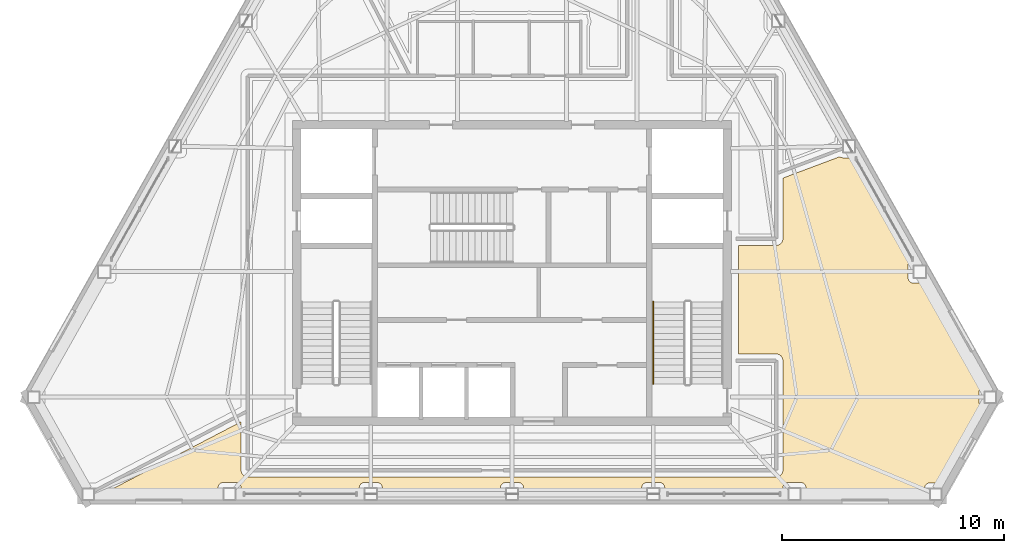
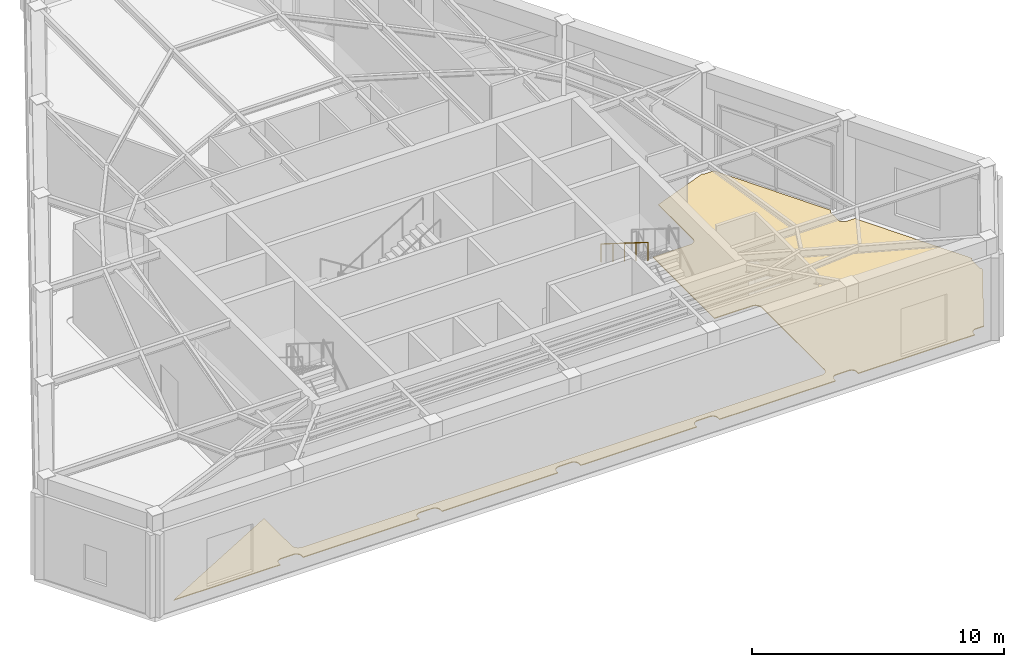
# One storey, part 13 of 15: 1 covering, 1 railing.
"""IFC4 building model written with IfcOpenShell, lengths in metres."""

from ifc_helpers import new_model, si_unit, direction, frame, origin, origin_2d, place, context, subcontext, project, spatial, polyline, circle, outline, extrude, material, layer, layer_set, type_object, element, save


model = new_model("IFC4")

# Units and contexts
model_context = context("Model", 3, precision=1e-05, world=origin(), true_north=direction((0.0, 1.0)))
body_context = subcontext(model_context, "Body", "Model", "MODEL_VIEW")
ifc_project = project(units=[si_unit("LENGTHUNIT", "METRE"), si_unit("AREAUNIT", "SQUARE_METRE"), si_unit("VOLUMEUNIT", "CUBIC_METRE"), si_unit("PLANEANGLEUNIT", "RADIAN"), si_unit("MASSUNIT", "GRAM", prefix="KILO")], contexts=[model_context])

# Site, building, storey
site_placement = place(None, origin())
site = spatial("IfcSite", under=ifc_project, at=site_placement, CompositionType="ELEMENT")
building_placement = place(site_placement, origin())
building = spatial("IfcBuilding", under=site, at=building_placement, Name="Kavelnor Concourse Tower", CompositionType="ELEMENT")
storey_placement = place(building_placement, frame((0.0, 0.0, 304.949951171875)))
storey = spatial("IfcBuildingStorey", under=building, at=storey_placement, Name="L77", CompositionType="ELEMENT", Elevation=304.949951171875)

# Covering
ifc_material_1 = material(Name="Honed bluestone and raised access floor finish", Category="masonry")
ifc_layer = layer(ifc_material_1, 0.0400390625, Name="Honed bluestone and raised access floor finish")
ifc_layer_set = layer_set([ifc_layer], Name="Honed bluestone and raised access floor finish")
covering_type = type_object("IfcCoveringType", Name="COV-FLOOR-STONE", PredefinedType="FLOORING", material=ifc_layer_set)
covering_placement = place(storey_placement, frame((0.0, 0.0, 0.001953125)))
element("IfcCovering", 1, at=covering_placement, inside=storey, type_object=covering_type, Name="L77 Honed Bluestone Floor Finish", PredefinedType="FLOORING", context=body_context, shape_type="SweptSolid", body=[
    extrude(outline(polyline([(25.78759765625, 9.3955078125), (25.78759765625, 7.20458984375), (25.788818359375, 7.180419921875), (25.793212890625, 7.15087890625), (25.80029296875, 7.1220703125), (25.810302734375, 7.093994140625), (25.822998046875, 7.0673828125), (25.83837890625, 7.041748046875), (25.85595703125, 7.017822265625), (25.8759765625, 6.995849609375), (25.89794921875, 6.97607421875), (25.921875, 6.958251953125), (25.947265625, 6.943115234375), (25.97412109375, 6.930419921875), (26.002197265625, 6.92041015625), (26.031005859375, 6.9130859375), (26.060302734375, 6.90869140625), (26.084716796875, 6.907470703125), (49.915283203125, 6.907470703125), (49.939697265625, 6.90869140625), (49.968994140625, 6.9130859375), (49.997802734375, 6.92041015625), (50.02587890625, 6.930419921875), (50.052734375, 6.943115234375), (50.078125, 6.958251953125), (50.10205078125, 6.97607421875), (50.1240234375, 6.995849609375), (50.14404296875, 7.017822265625), (50.16162109375, 7.041748046875), (50.177001953125, 7.0673828125), (50.189697265625, 7.093994140625), (50.19970703125, 7.1220703125), (50.206787109375, 7.15087890625), (50.211181640625, 7.180419921875), (50.21240234375, 7.20458984375), (50.21240234375, 12.155517578125), (50.211181640625, 12.1796875), (50.206787109375, 12.208984375), (50.19970703125, 12.23779296875), (50.189697265625, 12.265869140625), (50.177001953125, 12.292724609375), (50.16162109375, 12.318115234375), (50.14404296875, 12.342041015625), (50.1240234375, 12.364013671875), (50.10205078125, 12.384033203125), (50.078125, 12.401611328125), (50.052734375, 12.4169921875), (50.02587890625, 12.4296875), (49.997802734375, 12.439697265625), (49.968994140625, 12.447021484375), (49.939697265625, 12.451416015625), (49.915283203125, 12.452392578125), (48.2099609375, 12.452392578125), (48.2099609375, 17.347412109375), (49.915283203125, 17.347412109375), (49.939697265625, 17.3486328125), (49.968994140625, 17.35302734375), (49.997802734375, 17.3603515625), (50.02587890625, 17.370361328125), (50.052734375, 17.383056640625), (50.078125, 17.398193359375), (50.10205078125, 17.416015625), (50.1240234375, 17.435791015625), (50.14404296875, 17.4580078125), (50.16162109375, 17.481689453125), (50.177001953125, 17.50732421875), (50.189697265625, 17.5341796875), (50.19970703125, 17.56201171875), (50.206787109375, 17.5908203125), (50.211181640625, 17.620361328125), (50.21240234375, 17.64453125), (50.21240234375, 20.380859375), (52.77099609375, 21.34375), (52.77880859375, 21.337646484375), (52.799072265625, 21.32568359375), (52.820556640625, 21.3154296875), (52.8427734375, 21.3076171875), (52.865478515625, 21.302001953125), (52.888916015625, 21.29833984375), (52.906982421875, 21.297607421875), (53.301513671875, 21.297607421875), (55.93603515625, 16.6201171875), (55.927490234375, 16.6123046875), (55.91162109375, 16.594970703125), (55.8974609375, 16.575927734375), (55.885498046875, 16.555908203125), (55.875244140625, 16.534423828125), (55.867431640625, 16.51220703125), (55.86181640625, 16.489501953125), (55.858154296875, 16.466064453125), (55.857421875, 16.447998046875), (55.857421875, 15.877197265625), (55.858154296875, 15.85888671875), (55.86181640625, 15.835693359375), (55.867431640625, 15.812744140625), (55.875244140625, 15.79052734375), (55.885498046875, 15.769287109375), (55.8974609375, 15.7490234375), (55.91162109375, 15.72998046875), (55.927490234375, 15.712646484375), (55.94482421875, 15.69677734375), (55.9638671875, 15.6826171875), (55.98388671875, 15.670654296875), (56.00537109375, 15.660400390625), (56.027587890625, 15.652587890625), (56.05029296875, 15.64697265625), (56.07373046875, 15.643310546875), (56.091796875, 15.642578125), (56.486572265625, 15.642578125), (59.135009765625, 10.93994140625), (59.13232421875, 10.9375), (59.11669921875, 10.919921875), (59.1025390625, 10.901123046875), (59.09033203125, 10.880859375), (59.080322265625, 10.859619140625), (59.072509765625, 10.83740234375), (59.066650390625, 10.814453125), (59.063232421875, 10.791259765625), (59.062255859375, 10.77294921875), (59.062255859375, 10.2421875), (59.063232421875, 10.22412109375), (59.066650390625, 10.20068359375), (59.072509765625, 10.177978515625), (59.080322265625, 10.15576171875), (59.09033203125, 10.13427734375), (59.1025390625, 10.114013671875), (59.11669921875, 10.09521484375), (59.13232421875, 10.07763671875), (59.135009765625, 10.0751953125), (57.197509765625, 6.635009765625), (56.834228515625, 6.635009765625), (56.81591796875, 6.634033203125), (56.792724609375, 6.630615234375), (56.77001953125, 6.625), (56.747802734375, 6.616943359375), (56.726318359375, 6.60693359375), (56.7060546875, 6.5947265625), (56.687255859375, 6.580810546875), (56.669677734375, 6.56494140625), (56.65380859375, 6.54736328125), (56.639892578125, 6.528564453125), (56.627685546875, 6.50830078125), (56.61767578125, 6.48681640625), (56.609619140625, 6.464599609375), (56.60400390625, 6.44189453125), (56.6005859375, 6.418701171875), (56.599609375, 6.400390625), (56.599609375, 6.294921875), (51.253173828125, 6.294921875), (51.253173828125, 6.42041015625), (51.252197265625, 6.438720703125), (51.248779296875, 6.4619140625), (51.242919921875, 6.484619140625), (51.235107421875, 6.5068359375), (51.22509765625, 6.5283203125), (51.212890625, 6.548583984375), (51.19873046875, 6.5673828125), (51.18310546875, 6.5849609375), (51.16552734375, 6.6005859375), (51.146484375, 6.61474609375), (51.12646484375, 6.626953125), (51.10498046875, 6.636962890625), (51.082763671875, 6.64501953125), (51.06005859375, 6.650634765625), (51.03662109375, 6.654052734375), (51.0185546875, 6.655029296875), (50.44775390625, 6.655029296875), (50.429443359375, 6.654052734375), (50.40625, 6.650634765625), (50.38330078125, 6.64501953125), (50.361083984375, 6.636962890625), (50.33984375, 6.626953125), (50.319580078125, 6.61474609375), (50.30078125, 6.6005859375), (50.283203125, 6.5849609375), (50.267333984375, 6.5673828125), (50.25341796875, 6.548583984375), (50.2412109375, 6.5283203125), (50.231201171875, 6.5068359375), (50.22314453125, 6.484619140625), (50.217529296875, 6.4619140625), (50.214111328125, 6.438720703125), (50.213134765625, 6.42041015625), (50.213134765625, 6.294921875), (44.886474609375, 6.294921875), (44.886474609375, 6.42041015625), (44.885498046875, 6.438720703125), (44.882080078125, 6.4619140625), (44.87646484375, 6.484619140625), (44.868408203125, 6.5068359375), (44.8583984375, 6.5283203125), (44.84619140625, 6.548583984375), (44.832275390625, 6.5673828125), (44.81640625, 6.5849609375), (44.798828125, 6.6005859375), (44.780029296875, 6.61474609375), (44.759765625, 6.626953125), (44.73828125, 6.636962890625), (44.71630859375, 6.64501953125), (44.693359375, 6.650634765625), (44.670166015625, 6.654052734375), (44.65185546875, 6.655029296875), (44.0810546875, 6.655029296875), (44.06298828125, 6.654052734375), (44.03955078125, 6.650634765625), (44.016845703125, 6.64501953125), (43.99462890625, 6.636962890625), (43.97314453125, 6.626953125), (43.952880859375, 6.61474609375), (43.93408203125, 6.6005859375), (43.91650390625, 6.5849609375), (43.90087890625, 6.5673828125), (43.88671875, 6.548583984375), (43.87451171875, 6.5283203125), (43.864501953125, 6.5068359375), (43.856689453125, 6.484619140625), (43.850830078125, 6.4619140625), (43.847412109375, 6.438720703125), (43.846435546875, 6.42041015625), (43.846435546875, 6.294921875), (38.52001953125, 6.294921875), (38.52001953125, 6.42041015625), (38.51904296875, 6.438720703125), (38.515625, 6.4619140625), (38.510009765625, 6.484619140625), (38.501953125, 6.5068359375), (38.491943359375, 6.5283203125), (38.479736328125, 6.548583984375), (38.4658203125, 6.5673828125), (38.449951171875, 6.5849609375), (38.432373046875, 6.6005859375), (38.41357421875, 6.61474609375), (38.393310546875, 6.626953125), (38.371826171875, 6.636962890625), (38.349609375, 6.64501953125), (38.326904296875, 6.650634765625), (38.3037109375, 6.654052734375), (38.285400390625, 6.655029296875), (37.714599609375, 6.655029296875), (37.6962890625, 6.654052734375), (37.673095703125, 6.650634765625), (37.650390625, 6.64501953125), (37.628173828125, 6.636962890625), (37.606689453125, 6.626953125), (37.58642578125, 6.61474609375), (37.567626953125, 6.6005859375), (37.550048828125, 6.5849609375), (37.5341796875, 6.5673828125), (37.520263671875, 6.548583984375), (37.508056640625, 6.5283203125), (37.498046875, 6.5068359375), (37.489990234375, 6.484619140625), (37.484375, 6.4619140625), (37.48095703125, 6.438720703125), (37.47998046875, 6.42041015625), (37.47998046875, 6.294921875), (32.153564453125, 6.294921875), (32.153564453125, 6.42041015625), (32.152587890625, 6.438720703125), (32.149169921875, 6.4619140625), (32.143310546875, 6.484619140625), (32.135498046875, 6.5068359375), (32.12548828125, 6.5283203125), (32.11328125, 6.548583984375), (32.09912109375, 6.5673828125), (32.08349609375, 6.5849609375), (32.06591796875, 6.6005859375), (32.047119140625, 6.61474609375), (32.02685546875, 6.626953125), (32.00537109375, 6.636962890625), (31.983154296875, 6.64501953125), (31.96044921875, 6.650634765625), (31.93701171875, 6.654052734375), (31.9189453125, 6.655029296875), (31.34814453125, 6.655029296875), (31.329833984375, 6.654052734375), (31.306640625, 6.650634765625), (31.28369140625, 6.64501953125), (31.26171875, 6.636962890625), (31.240234375, 6.626953125), (31.219970703125, 6.61474609375), (31.201171875, 6.6005859375), (31.18359375, 6.5849609375), (31.167724609375, 6.5673828125), (31.15380859375, 6.548583984375), (31.1416015625, 6.5283203125), (31.131591796875, 6.5068359375), (31.12353515625, 6.484619140625), (31.117919921875, 6.4619140625), (31.114501953125, 6.438720703125), (31.113525390625, 6.42041015625), (31.113525390625, 6.294921875), (25.786865234375, 6.294921875), (25.786865234375, 6.42041015625), (25.785888671875, 6.438720703125), (25.782470703125, 6.4619140625), (25.77685546875, 6.484619140625), (25.768798828125, 6.5068359375), (25.7587890625, 6.5283203125), (25.74658203125, 6.548583984375), (25.732666015625, 6.5673828125), (25.716796875, 6.5849609375), (25.69921875, 6.6005859375), (25.680419921875, 6.61474609375), (25.66015625, 6.626953125), (25.638916015625, 6.636962890625), (25.61669921875, 6.64501953125), (25.59375, 6.650634765625), (25.570556640625, 6.654052734375), (25.55224609375, 6.655029296875), (24.9814453125, 6.655029296875), (24.96337890625, 6.654052734375), (24.93994140625, 6.650634765625), (24.917236328125, 6.64501953125), (24.89501953125, 6.636962890625), (24.87353515625, 6.626953125), (24.853515625, 6.61474609375), (24.83447265625, 6.6005859375), (24.81689453125, 6.5849609375), (24.80126953125, 6.5673828125), (24.787109375, 6.548583984375), (24.77490234375, 6.5283203125), (24.764892578125, 6.5068359375), (24.757080078125, 6.484619140625), (24.751220703125, 6.4619140625), (24.747802734375, 6.438720703125), (24.746826171875, 6.42041015625), (24.746826171875, 6.294921875), (19.8447265625, 6.294921875), (25.78759765625, 9.3955078125)])), origin(), (0.0, 0.0, 1.0), 0.0400390625),
])

# Railing
ifc_material_2 = material(Name="Steel Grade 350", Category="steel")
railing_type = type_object("IfcRailingType", Name="RLG-HANDRAIL-900", PredefinedType="HANDRAIL", material=ifc_material_2)
railing_placement = place(storey_placement, frame((44.3701171875, 14.804931640625, 2.6787109375)))
element("IfcRailing", 2, at=railing_placement, inside=storey, type_object=railing_type, Name="L77 ST2 stair handrail 2", PredefinedType="HANDRAIL", context=body_context, shape_type="SweptSolid", body=[
    extrude(circle(Radius=0.02392578125, at=origin_2d()), frame((0.0, 0.0, 0.8759765625), z_axis=(0.0, -0.847404842492, 0.530947297688), x_axis=(1.0, 0.0, 0.0)), (0.0, 0.0, 1.0), 4.3720703125),
    extrude(circle(Radius=0.02099609375, at=origin_2d()), origin(), (0.0, 0.0, 1.0), 0.851806640625),
    extrude(circle(Radius=0.02099609375, at=origin_2d()), frame((0.0, -0.92626953125, 0.580322265625)), (0.0, 0.0, 1.0), 0.851806640625),
    extrude(circle(Radius=0.02099609375, at=origin_2d()), frame((0.0, -1.8525390625, 1.16064453125)), (0.0, 0.0, 1.0), 0.851806640625),
    extrude(circle(Radius=0.02099609375, at=origin_2d()), frame((0.0, -2.778564453125, 1.740966796875)), (0.0, 0.0, 1.0), 0.851806640625),
    extrude(circle(Radius=0.02099609375, at=origin_2d()), frame((0.0, -3.704833984375, 2.3212890625)), (0.0, 0.0, 1.0), 0.851806640625),
])

save(model, "model.ifc")
